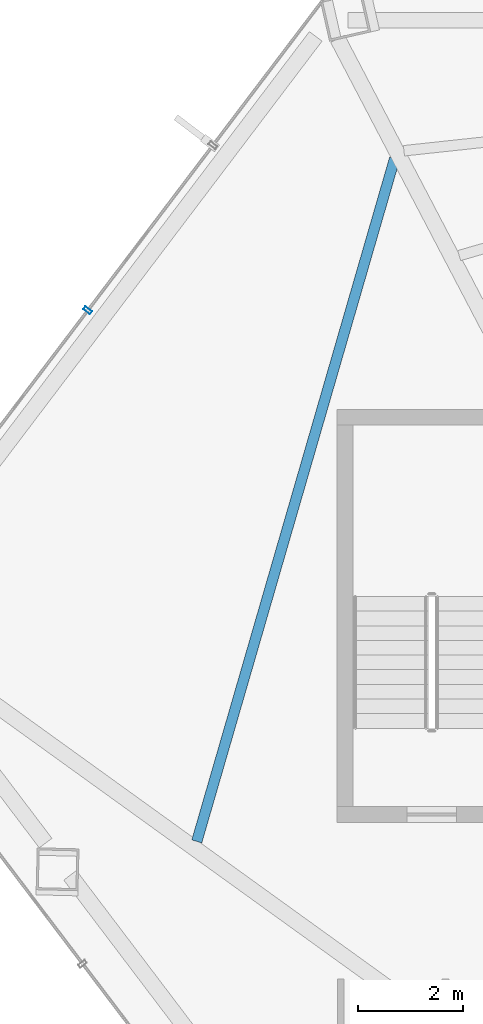
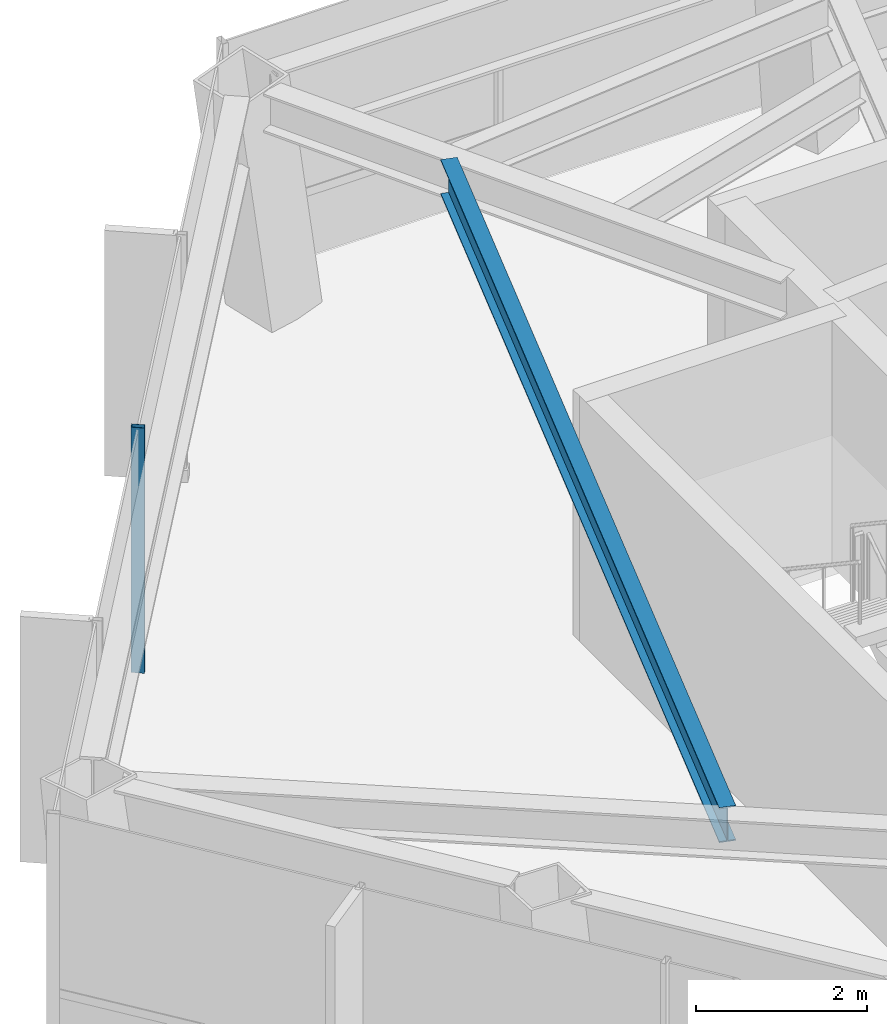
# One storey, part 11 of 30: 1 beam, 1 member, 1 element without a shape of its own.
"""IFC4 building model written with IfcOpenShell, lengths in metres."""

import ifcopenshell
import ifcopenshell.guid

model = None  # the IFC model being written
_history = None  # IfcOwnerHistory: only IFC2X3 demands one
_inside = {}  # id of a spatial element -> (the spatial element, [elements in it])
_under = {}  # id of a project, library or spatial element -> (it, [spatial elements below it])
_declared = {}  # id of a project -> (the project, [libraries it declares])
_typed = {}  # id of a type object -> (the type object, [elements of that type])
_made_of = {}  # id of a material, layer set ... -> (it, [elements and type objects made of it])


def new_model(schema):
    """Start an empty IFC model of exactly this schema.

    Asked for "IFC4X3", IfcOpenShell would pick the latest addendum, in which some entities
    have other attributes; the version numbers below select the first issue.
    IFC2X3 requires an IfcOwnerHistory on every rooted entity: one is made here for all.
    """
    global model, _history
    if schema == "IFC4X3":
        model = ifcopenshell.file(schema_version=(4, 3, 0, 0))
    else:
        model = ifcopenshell.file(schema=schema)
    _inside.clear()
    _under.clear()
    _declared.clear()
    _typed.clear()
    _made_of.clear()
    _history = None
    if model.schema == "IFC2X3":
        org = make("IfcOrganization", Name="unknown")
        user = make(
            "IfcPersonAndOrganization",
            ThePerson=make("IfcPerson", FamilyName="unknown"),
            TheOrganization=org,
        )
        app = make(
            "IfcApplication",
            ApplicationDeveloper=org,
            Version="unknown",
            ApplicationFullName="unknown",
            ApplicationIdentifier="unknown",
        )
        _history = make(
            "IfcOwnerHistory",
            OwningUser=user,
            OwningApplication=app,
            ChangeAction="ADDED",
            CreationDate=0,
        )
    return model


def make(cls, **values):
    """One entity of the class cls with the attributes given. An attribute that is None is left unset."""
    return model.create_entity(
        cls, **{name: value for name, value in values.items() if value is not None}
    )


def rooted(cls, **values):
    """An entity with a GlobalId (a new one), such as an element, a storey or a relation."""
    return make(cls, GlobalId=ifcopenshell.guid.new(), OwnerHistory=_history, **values)


def si_unit(unit_type, name, prefix=None):
    """IfcSIUnit, for example si_unit("LENGTHUNIT", "METRE", prefix="MILLI")."""
    return make("IfcSIUnit", UnitType=unit_type, Prefix=prefix, Name=name)


def assignment(units):
    """IfcUnitAssignment: the units of a project."""
    return None if units is None else make("IfcUnitAssignment", Units=units)


def point(xyz):
    """IfcCartesianPoint."""
    return None if xyz is None else make("IfcCartesianPoint", Coordinates=xyz)


def direction(xyz):
    """IfcDirection."""
    return None if xyz is None else make("IfcDirection", DirectionRatios=xyz)


def frame(location, z_axis=None, x_axis=None):
    """IfcAxis2Placement3D, a coordinate frame: its origin and axes. An axis left out is left unset."""
    return make(
        "IfcAxis2Placement3D",
        Location=point(location),
        Axis=direction(z_axis),
        RefDirection=direction(x_axis),
    )


def frame_2d(location, x_axis=None):
    """IfcAxis2Placement2D, a coordinate frame in the plane: its origin and x axis."""
    return make(
        "IfcAxis2Placement2D", Location=point(location), RefDirection=direction(x_axis)
    )


def origin():
    """The frame at (0, 0, 0) with its axes left unset."""
    return frame((0.0, 0.0, 0.0))


def origin_2d():
    """The frame at (0, 0) in the plane with its x axis left unset."""
    return frame_2d((0.0, 0.0))


def place(relative_to, where):
    """IfcLocalPlacement: puts the frame where relative to a parent placement (None: the world)."""
    return make(
        "IfcLocalPlacement", PlacementRelTo=relative_to, RelativePlacement=where
    )


def context(
    kind, dimensions, precision=None, world=None, true_north=None, identifier=None
):
    """IfcGeometricRepresentationContext, for example the 3D "Model" context."""
    return make(
        "IfcGeometricRepresentationContext",
        ContextIdentifier=identifier,
        ContextType=kind,
        CoordinateSpaceDimension=dimensions,
        Precision=precision,
        WorldCoordinateSystem=world,
        TrueNorth=true_north,
    )


def subcontext(parent, identifier, kind, view, scale=None):
    """IfcGeometricRepresentationSubContext, for example "Body" below "Model"."""
    return make(
        "IfcGeometricRepresentationSubContext",
        ContextIdentifier=identifier,
        ContextType=kind,
        ParentContext=parent,
        TargetScale=scale,
        TargetView=view,
    )


def project(units=None, contexts=None):
    """IfcProject with its units and contexts."""
    return rooted(
        "IfcProject",
        Name="project",
        RepresentationContexts=contexts,
        UnitsInContext=assignment(units),
    )


def spatial(cls, under=None, at=None, **own):
    """A site, building, storey or space (cls), placed at a placement, below another one or the project."""
    s = rooted(cls, ObjectPlacement=at, **own)
    if under is not None:
        _under.setdefault(under.id(), (under, []))[1].append(s)
    return s


def profile(cls, at=None, kind="AREA", **sizes):
    """A parametric profile (cls). Its sizes go by their IFC names, for example OverallWidth=200.0."""
    return make(cls, ProfileType=kind, Position=at, **sizes)


def hollow_rectangle(**sizes):
    """IfcRectangleHollowProfileDef."""
    return profile("IfcRectangleHollowProfileDef", **sizes)


def i_section(**sizes):
    """IfcIShapeProfileDef."""
    return profile("IfcIShapeProfileDef", **sizes)


def extrude(swept, where, along, depth):
    """IfcExtrudedAreaSolid: the profile swept, set in the frame where, extruded along a direction by depth."""
    return make(
        "IfcExtrudedAreaSolid",
        SweptArea=swept,
        Position=where,
        ExtrudedDirection=direction(along),
        Depth=depth,
    )


def shape(context_of_items, identifier, shape_type, items):
    """IfcShapeRepresentation: the items that make up one representation, for example the "Body"."""
    return make(
        "IfcShapeRepresentation",
        ContextOfItems=context_of_items,
        RepresentationIdentifier=identifier,
        RepresentationType=shape_type,
        Items=items,
    )


def material(Name=None, Category=None):
    """IfcMaterial."""
    return make("IfcMaterial", Name=Name, Category=Category)


def layer(
    of_material, thickness, ventilated=None, Name=None, Category=None, Priority=None
):
    """IfcMaterialLayer: one layer of a wall or slab, of a material (None: an air gap)."""
    return make(
        "IfcMaterialLayer",
        Material=of_material,
        LayerThickness=thickness,
        IsVentilated=ventilated,
        Name=Name,
        Category=Category,
        Priority=Priority,
    )


def layer_set(layers, Name=None):
    """IfcMaterialLayerSet."""
    return make("IfcMaterialLayerSet", MaterialLayers=layers, LayerSetName=Name)


def material_profile(
    of_material, cross_section, Name=None, Category=None, Priority=None
):
    """IfcMaterialProfile: a cross section and its material."""
    return make(
        "IfcMaterialProfile",
        Name=Name,
        Material=of_material,
        Profile=cross_section,
        Priority=Priority,
        Category=Category,
    )


def profile_set(profiles, Name=None, composite=None):
    """IfcMaterialProfileSet."""
    return make(
        "IfcMaterialProfileSet",
        Name=Name,
        MaterialProfiles=profiles,
        CompositeProfile=composite,
    )


def made_of(thing, what):
    """Note that an element or type object is made of a material, layer set ...; save() writes the relation."""
    if what is not None:
        _made_of.setdefault(what.id(), (what, []))[1].append(thing)
    return thing


def type_object(cls, material=None, **own):
    """A type object (cls), such as IfcWallType, which elements share."""
    return made_of(rooted(cls, **own), material)


def element(
    cls,
    number,
    at=None,
    inside=None,
    cuts=None,
    type_object=None,
    material=None,
    context=None,
    identifier="Body",
    shape_type=None,
    held_by="IfcProductDefinitionShape",
    body=None,
    shapes=None,
    **own,
):
    """One element of the class cls, such as IfcWall. Its Tag is "e" and its number.

    at: its placement. inside: the storey or other place that contains it. cuts: it is an
    opening in that element (IfcRelVoidsElement). A single representation is given by context,
    identifier, shape_type and body (its items); several are given by shapes. held_by: the class
    of the entity that holds the representations. save() writes the other relations.
    """
    e = rooted(cls, Tag="e%d" % number, ObjectPlacement=at, **own)
    if body is not None:
        shapes = [shape(context, identifier, shape_type, body)]
    if shapes is not None:
        e.Representation = make(held_by, Representations=shapes)
    if inside is not None:
        _inside.setdefault(inside.id(), (inside, []))[1].append(e)
    if cuts is not None:
        rooted(
            "IfcRelVoidsElement", RelatingBuildingElement=cuts, RelatedOpeningElement=e
        )
    if type_object is not None:
        _typed.setdefault(type_object.id(), (type_object, []))[1].append(e)
    return made_of(e, material)


def aggregate(whole, parts):
    """IfcRelAggregates: a whole, such as a stair, and the parts it consists of."""
    return rooted("IfcRelAggregates", RelatingObject=whole, RelatedObjects=parts)


def save(model, path):
    """Write the relations noted so far, then the file.

    IfcRelAggregates (storeys below a building ...), IfcRelContainedInSpatialStructure (elements
    in a storey), IfcRelDefinesByType, IfcRelAssociatesMaterial and IfcRelDeclares: one each for
    every whole, place, type object, material and project.
    """
    for whole, parts in _under.values():
        aggregate(whole, parts)
    for where, things in _inside.values():
        rooted(
            "IfcRelContainedInSpatialStructure",
            RelatedElements=things,
            RelatingStructure=where,
        )
    for kind, things in _typed.values():
        rooted("IfcRelDefinesByType", RelatedObjects=things, RelatingType=kind)
    for what, things in _made_of.values():
        rooted("IfcRelAssociatesMaterial", RelatedObjects=things, RelatingMaterial=what)
    for by, libraries in _declared.values():
        rooted("IfcRelDeclares", RelatingContext=by, RelatedDefinitions=libraries)
    model.write(path)


model = new_model("IFC4")

# Units and contexts
model_context = context("Model", 3, precision=1e-05, world=origin(), true_north=direction((0.0, 1.0)))
body_context = subcontext(model_context, "Body", "Model", "MODEL_VIEW")
ifc_project = project(units=[si_unit("LENGTHUNIT", "METRE"), si_unit("AREAUNIT", "SQUARE_METRE"), si_unit("VOLUMEUNIT", "CUBIC_METRE"), si_unit("PLANEANGLEUNIT", "RADIAN"), si_unit("MASSUNIT", "GRAM", prefix="KILO")], contexts=[model_context])

# Site, building, storey
site_placement = place(None, origin())
site = spatial("IfcSite", under=ifc_project, at=site_placement, CompositionType="ELEMENT")
building_placement = place(site_placement, origin())
building = spatial("IfcBuilding", under=site, at=building_placement, Name="Zarrinselat Tower", CompositionType="ELEMENT")
storey_placement = place(building_placement, frame((0.0, 0.0, 130.89990234375)))
storey = spatial("IfcBuildingStorey", under=building, at=storey_placement, Name="L31", CompositionType="ELEMENT", Elevation=130.89990234375)

# Beam
ifc_material_1 = material(Name="Steel S355J2", Category="steel")
ifc_material_profile_1 = material_profile(ifc_material_1, i_section(OverallWidth=0.199951171875, OverallDepth=0.5, WebThickness=0.01025390625, FlangeThickness=0.01611328125, at=origin_2d()), Name="IPE 500")
ifc_profile_set_1 = profile_set([ifc_material_profile_1], Name="Steel S355J2")
beam_type = type_object("IfcBeamType", Name="BM-IPE500", PredefinedType="JOIST", material=ifc_profile_set_1)
beam_placement = place(storey_placement, frame((22.394287109375, 32.784912109375, 3.25), z_axis=(0.278293361775, 0.960496124298, 0.0), x_axis=(-0.960496124298, 0.278293361775, 0.0)))
element("IfcBeam", 1, at=beam_placement, inside=storey, type_object=beam_type, Name="L31 Composite Floor Joist 10-1", PredefinedType="JOIST", context=body_context, shape_type="SweptSolid", body=[
    extrude(i_section(OverallWidth=0.199951171875, OverallDepth=0.5, WebThickness=0.01025390625, FlangeThickness=0.01611328125, at=origin_2d()), origin(), (0.0, 0.0, 1.0), 13.604736328125),
])

# Curtain wall, member
ifc_material_2 = material(Name="Extruded Aluminium Alloy EN AW-6063 T6", Category="aluminium")
ifc_layer = layer(ifc_material_2, 0.175048828125)
ifc_layer_set = layer_set([ifc_layer], Name="Extruded Aluminium Alloy EN AW-6063 T6")
curtain_wall_type = type_object("IfcCurtainWallType", Name="CWS-HTL", PredefinedType="NOTDEFINED", material=ifc_layer_set)
curtain_wall_placement = place(storey_placement, origin())
curtain_wall = element("IfcCurtainWall", 2, at=curtain_wall_placement, inside=storey, type_object=curtain_wall_type, Name="L31 Unitised Curtain Wall CW-L31-E02", PredefinedType="NOTDEFINED")
ifc_material_3 = material(Name="Extruded Aluminium Alloy EN AW-6063 T6", Category="aluminium")
ifc_material_profile_2 = material_profile(ifc_material_3, hollow_rectangle(XDim=0.070068359375, YDim=0.159912109375, WallThickness=0.00390625, at=origin_2d()), Name="RHS 160x70x4")
ifc_profile_set_2 = profile_set([ifc_material_profile_2], Name="Extruded Aluminium Alloy EN AW-6063 T6")
member_type = type_object("IfcMemberType", Name="MEM-CW-MUL2", PredefinedType="MULLION", material=ifc_profile_set_2)
member_placement = place(storey_placement, frame((20.306640625, 42.94775390625, 0.0), z_axis=(0.0, 0.0, 1.0), x_axis=(-0.603858052292, -0.797091872172, 0.0)))
member = element("IfcMember", 3, at=member_placement, type_object=member_type, Name="CW-L31-E02 Mullion 2", PredefinedType="MULLION", context=body_context, shape_type="SweptSolid", body=[
    extrude(hollow_rectangle(XDim=0.070068359375, YDim=0.159912109375, WallThickness=0.00390625, at=origin_2d()), origin(), (0.0, 0.0, 1.0), 3.5),
])
aggregate(curtain_wall, [member])

save(model, "model.ifc")
